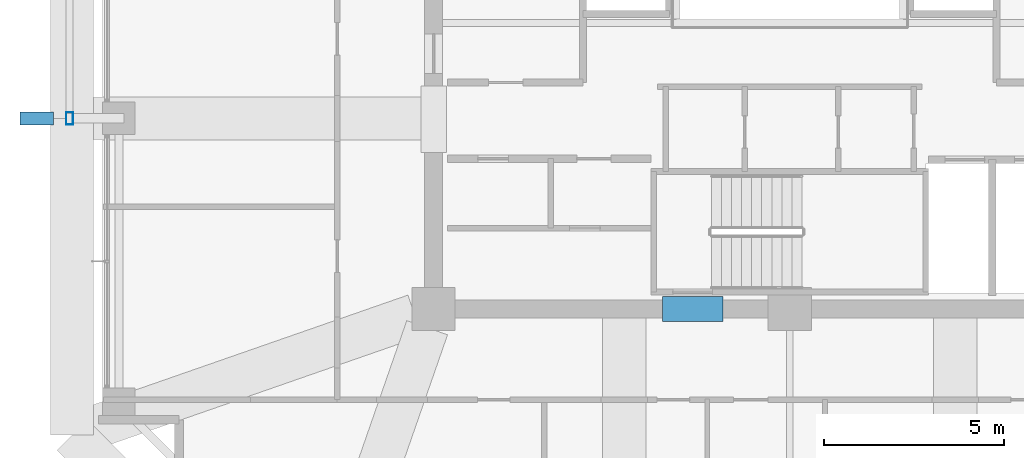
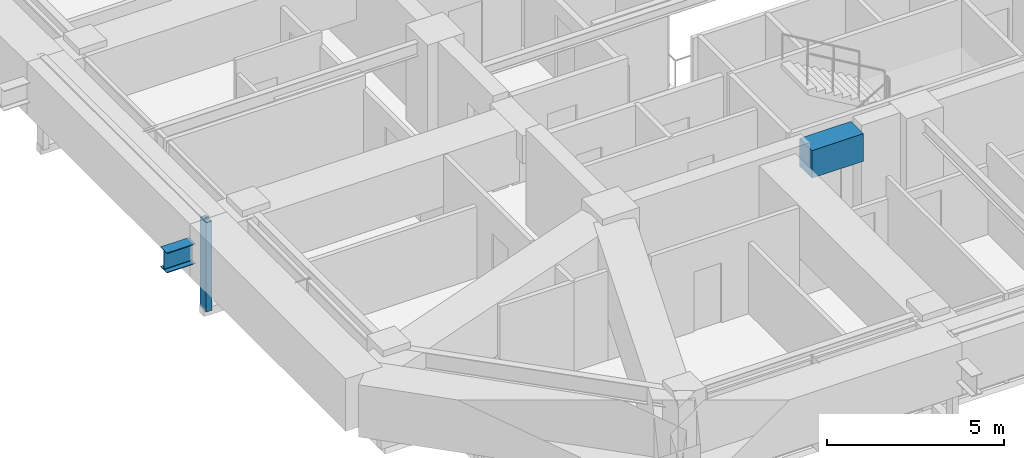
# One storey, part 8 of 40: 2 beams, 1 member.
"""IFC4 building model written with IfcOpenShell, lengths in metres."""

from ifc_helpers import new_model, si_unit, direction, frame, origin, origin_2d, place, context, subcontext, project, spatial, rectangle, hollow_rectangle, i_section, extrude, material, material_profile, profile_set, type_object, element, save


model = new_model("IFC4")

# Units and contexts
model_context = context("Model", 3, precision=1e-05, world=origin(), true_north=direction((0.0, 1.0)))
body_context = subcontext(model_context, "Body", "Model", "MODEL_VIEW")
ifc_project = project(units=[si_unit("LENGTHUNIT", "METRE"), si_unit("AREAUNIT", "SQUARE_METRE"), si_unit("VOLUMEUNIT", "CUBIC_METRE"), si_unit("PLANEANGLEUNIT", "RADIAN"), si_unit("MASSUNIT", "GRAM", prefix="KILO")], contexts=[model_context])

# Site, building, storey
site_placement = place(None, origin())
site = spatial("IfcSite", under=ifc_project, at=site_placement, CompositionType="ELEMENT")
building_placement = place(site_placement, origin())
building = spatial("IfcBuilding", under=site, at=building_placement, Name="Kolvaren Belvedere", CompositionType="ELEMENT")
storey_placement = place(building_placement, frame((0.0, 0.0, 170.10009765625)))
storey = spatial("IfcBuildingStorey", under=building, at=storey_placement, Name="L49", CompositionType="ELEMENT", Elevation=170.10009765625)

# Beams
ifc_material_1 = material(Name="Structural steel ASTM A992 Grade 50", Category="steel")
ifc_material_profile_1 = material_profile(ifc_material_1, i_section(OverallWidth=0.35498046875, OverallDepth=0.696044921875, WebThickness=0.015380859375, FlangeThickness=0.02490234375, FilletRadius=0.02197265625, at=origin_2d()), Name="W27X146")
ifc_profile_set_1 = profile_set([ifc_material_profile_1], Name="Structural steel ASTM A992 Grade 50")
beam_type_1 = type_object("IfcBeamType", Name="BM-CANT-BAL", PredefinedType="BEAM", material=ifc_profile_set_1)
beam_1_placement = place(storey_placement, frame((-20.469970703125, -4.60009765625, 2.141845703125), z_axis=(-1.0, 0.0, 0.0), x_axis=(0.0, -1.0, 0.0)))
element("IfcBeam", 1, at=beam_1_placement, inside=storey, type_object=beam_type_1, Name="L49 West Picture-Frame Column Corbel M", PredefinedType="BEAM", context=body_context, shape_type="SweptSolid", body=[
    extrude(i_section(OverallWidth=0.35498046875, OverallDepth=0.696044921875, WebThickness=0.015380859375, FlangeThickness=0.02490234375, FilletRadius=0.02197265625, at=origin_2d()), origin(), (0.0, 0.0, 1.0), 0.929931640625),
])
ifc_material_2 = material(Name="Concrete C60/75", Category="concrete")
ifc_material_profile_2 = material_profile(ifc_material_2, rectangle(XDim=0.699951171875, YDim=0.949951171875, at=origin_2d()), Name="RC 700X950")
ifc_profile_set_2 = profile_set([ifc_material_profile_2], Name="Concrete C60/75")
beam_type_2 = type_object("IfcBeamType", Name="BM-LINT-950", PredefinedType="LINTEL", material=ifc_profile_set_2)
beam_2_placement = place(storey_placement, frame((-3.5400390625, -9.89990234375, 2.60498046875), z_axis=(1.0, 0.0, 0.0), x_axis=(0.0, 1.0, 0.0)))
element("IfcBeam", 2, at=beam_2_placement, inside=storey, type_object=beam_type_2, Name="L49 South Core Coupling Lintel", PredefinedType="LINTEL", context=body_context, shape_type="SweptSolid", body=[
    extrude(rectangle(XDim=0.699951171875, YDim=0.949951171875, at=origin_2d()), origin(), (0.0, 0.0, 1.0), 1.679931640625),
])

# Member
ifc_material_3 = material(Name="Anodised pale-metal aluminium AA 6063-T6", Category="aluminium")
ifc_material_profile_3 = material_profile(ifc_material_3, hollow_rectangle(XDim=0.199951171875, YDim=0.35009765625, WallThickness=0.007568359375, at=origin_2d()), Name="ALU-PF-350X200")
ifc_profile_set_3 = profile_set([ifc_material_profile_3], Name="Anodised pale-metal aluminium AA 6063-T6")
member_type = type_object("IfcMemberType", Name="PF-FRAME-350", PredefinedType="USERDEFINED", material=ifc_profile_set_3)
member_placement = place(storey_placement, frame((-20.02001953125, -4.60009765625, 0.0), z_axis=(0.0, 0.0, 1.0), x_axis=(1.0, 0.0, 0.0)))
element("IfcMember", 3, at=member_placement, inside=storey, type_object=member_type, Name="L49 Outboard Picture-Frame Vertical W1", ObjectType="PICTURE FRAME FIN", PredefinedType="USERDEFINED", context=body_context, shape_type="SweptSolid", body=[
    extrude(hollow_rectangle(XDim=0.199951171875, YDim=0.35009765625, WallThickness=0.007568359375, at=origin_2d()), origin(), (0.0, 0.0, 1.0), 3.079833984375),
])

save(model, "model.ifc")
